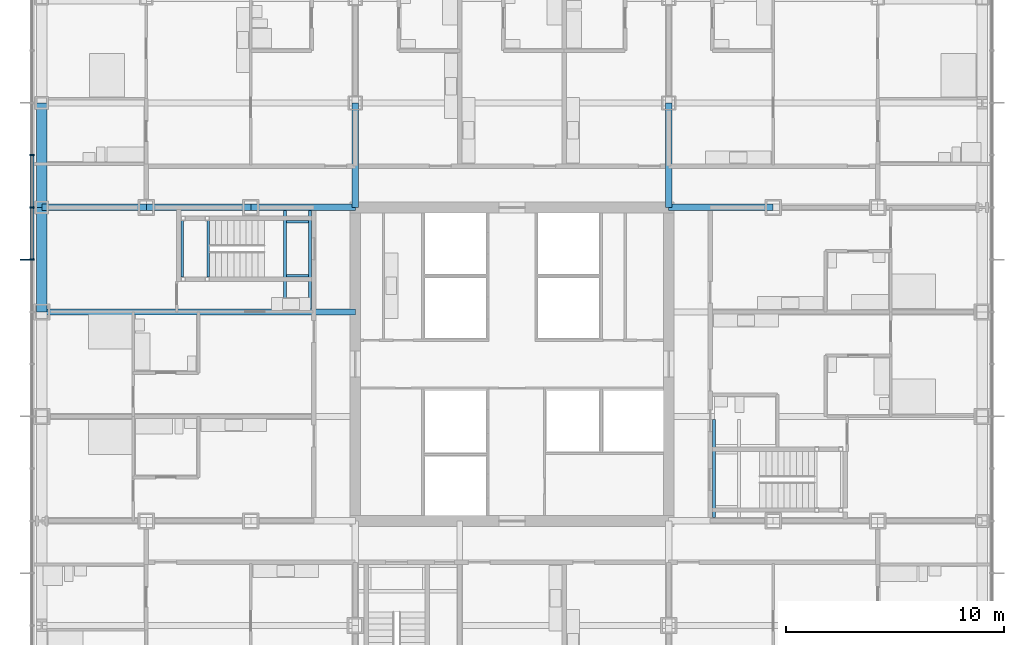
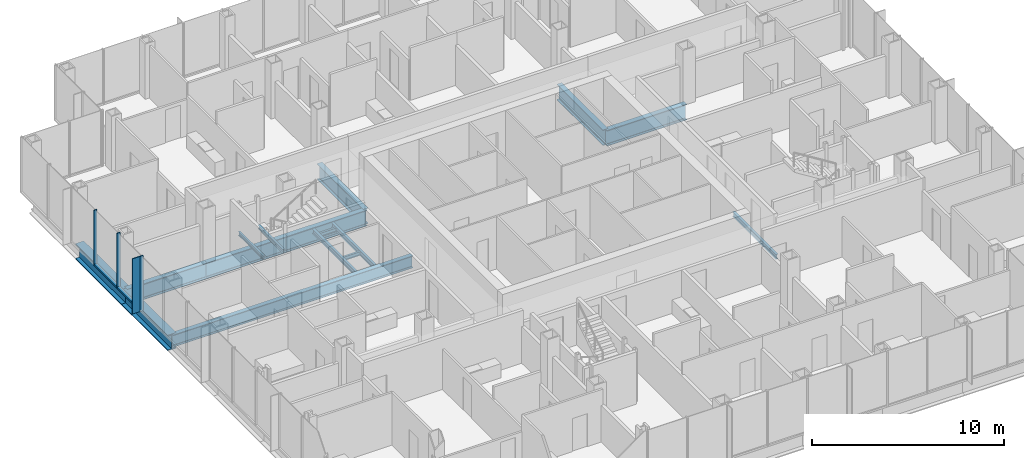
# One storey, part 8 of 21: 16 beams, 6 members, 1 element without a shape of its own.
"""IFC4 building model written with IfcOpenShell, lengths in metres."""

from ifc_helpers import new_model, si_unit, direction, frame, origin, origin_2d, place, context, subcontext, project, spatial, rectangle, i_section, extrude, material, material_profile, profile_set, type_object, element, aggregate, save


model = new_model("IFC4")

# Units and contexts
model_context = context("Model", 3, precision=1e-05, world=origin(), true_north=direction((0.0, 1.0)))
body_context = subcontext(model_context, "Body", "Model", "MODEL_VIEW")
ifc_project = project(units=[si_unit("LENGTHUNIT", "METRE"), si_unit("AREAUNIT", "SQUARE_METRE"), si_unit("VOLUMEUNIT", "CUBIC_METRE"), si_unit("PLANEANGLEUNIT", "RADIAN"), si_unit("MASSUNIT", "GRAM", prefix="KILO")], contexts=[model_context])

# Site, building, storey
site_placement = place(None, origin())
site = spatial("IfcSite", under=ifc_project, at=site_placement, CompositionType="ELEMENT")
building_placement = place(site_placement, origin())
building = spatial("IfcBuilding", under=site, at=building_placement, Name="Kvirike Care Tower", CompositionType="ELEMENT")
storey_placement = place(building_placement, frame((0.0, 0.0, 51.5)))
storey = spatial("IfcBuildingStorey", under=building, at=storey_placement, Name="L13", CompositionType="ELEMENT", Elevation=51.5)

# Curtain wall, members
ifc_material_1 = material(Name="Anodised aluminium stick system", Category="aluminium")
curtain_wall_type = type_object("IfcCurtainWallType", Name="CW-A STICK CURTAIN WALL", PredefinedType="NOTDEFINED", material=ifc_material_1)
curtain_wall_placement = place(storey_placement, origin())
curtain_wall = element("IfcCurtainWall", 1, at=curtain_wall_placement, inside=storey, type_object=curtain_wall_type, Name="Curtain wall L13 face 1", PredefinedType="NOTDEFINED")
ifc_material_2 = material(Name="Bronze anodised aluminium fin", Category="aluminium")
ifc_material_profile_1 = material_profile(ifc_material_2, rectangle(XDim=0.050048828125, YDim=0.449951171875, at=origin_2d()), Name="BRONZE FIN 450")
ifc_profile_set_1 = profile_set([ifc_material_profile_1], Name="Bronze anodised aluminium fin")
member_type_1 = type_object("IfcMemberType", Name="BRONZE FIN 450", PredefinedType="USERDEFINED", material=ifc_profile_set_1)
member_1_placement = place(storey_placement, frame((-0.77490234375, 40.800048828125, 0.0), z_axis=(0.0, 0.0, 1.0), x_axis=(0.0, -1.0, 0.0)))
member_1 = element("IfcMember", 2, at=member_1_placement, type_object=member_type_1, Name="Bronze fin L13 face 1.6", ObjectType="FIN", PredefinedType="USERDEFINED", context=body_context, shape_type="SweptSolid", body=[
    extrude(rectangle(XDim=0.050048828125, YDim=0.449951171875, at=origin_2d()), origin(), (0.0, 0.0, 1.0), 3.5),
])
ifc_material_3 = material(Name="Bronze anodised aluminium mullion", Category="aluminium")
ifc_material_profile_2 = material_profile(ifc_material_3, rectangle(XDim=0.06494140625, YDim=0.199951171875, at=origin_2d()), Name="CW-A MULLION 65x200")
ifc_profile_set_2 = profile_set([ifc_material_profile_2], Name="Bronze anodised aluminium mullion")
member_type_2 = type_object("IfcMemberType", Name="CW-A MULLION 65x200", PredefinedType="MULLION", material=ifc_profile_set_2)
member_2_placement = place(storey_placement, frame((-0.449951171875, 45.60009765625, 0.0), z_axis=(0.0, 0.0, 1.0), x_axis=(0.0, -1.0, 0.0)))
member_2 = element("IfcMember", 3, at=member_2_placement, type_object=member_type_2, Name="CW-A mullion L13 face 1.4", PredefinedType="MULLION", context=body_context, shape_type="SweptSolid", body=[
    extrude(rectangle(XDim=0.06494140625, YDim=0.199951171875, at=origin_2d()), origin(), (0.0, 0.0, 1.0), 3.5),
])
member_3_placement = place(storey_placement, frame((-0.449951171875, 43.199951171875, 0.0), z_axis=(0.0, 0.0, 1.0), x_axis=(0.0, -1.0, 0.0)))
member_3 = element("IfcMember", 4, at=member_3_placement, type_object=member_type_2, Name="CW-A mullion L13 face 1.5", PredefinedType="MULLION", context=body_context, shape_type="SweptSolid", body=[
    extrude(rectangle(XDim=0.06494140625, YDim=0.199951171875, at=origin_2d()), origin(), (0.0, 0.0, 1.0), 3.5),
])
member_4_placement = place(storey_placement, frame((-0.449951171875, 40.800048828125, 0.0), z_axis=(0.0, 0.0, 1.0), x_axis=(0.0, -1.0, 0.0)))
member_4 = element("IfcMember", 5, at=member_4_placement, type_object=member_type_2, Name="CW-A mullion L13 face 1.6", PredefinedType="MULLION", context=body_context, shape_type="SweptSolid", body=[
    extrude(rectangle(XDim=0.06494140625, YDim=0.199951171875, at=origin_2d()), origin(), (0.0, 0.0, 1.0), 3.5),
])
ifc_material_4 = material(Name="Bronze anodised aluminium transom", Category="aluminium")
ifc_material_profile_3 = material_profile(ifc_material_4, rectangle(XDim=0.199951171875, YDim=0.10009765625, at=origin_2d()), Name="CW-A TRANSOM 200x100")
ifc_profile_set_3 = profile_set([ifc_material_profile_3], Name="Bronze anodised aluminium transom")
member_type_3 = type_object("IfcMemberType", Name="CW-A TRANSOM 200x100", PredefinedType="USERDEFINED", material=ifc_profile_set_3)
member_5_placement = place(storey_placement, frame((-0.449951171875, 45.5673828125, 0.050048828125), z_axis=(0.0, -1.0, 0.0), x_axis=(1.0, 0.0, 0.0)))
member_5 = element("IfcMember", 6, at=member_5_placement, type_object=member_type_3, Name="CW-A sill transom L13 face 1.4", ObjectType="TRANSOM", PredefinedType="USERDEFINED", context=body_context, shape_type="SweptSolid", body=[
    extrude(rectangle(XDim=0.199951171875, YDim=0.10009765625, at=origin_2d()), origin(), (0.0, 0.0, 1.0), 2.3349609375),
])
member_6_placement = place(storey_placement, frame((-0.449951171875, 43.16748046875, 0.050048828125), z_axis=(0.0, -1.0, 0.0), x_axis=(1.0, 0.0, 0.0)))
member_6 = element("IfcMember", 7, at=member_6_placement, type_object=member_type_3, Name="CW-A sill transom L13 face 1.5", ObjectType="TRANSOM", PredefinedType="USERDEFINED", context=body_context, shape_type="SweptSolid", body=[
    extrude(rectangle(XDim=0.199951171875, YDim=0.10009765625, at=origin_2d()), origin(), (0.0, 0.0, 1.0), 2.3349609375),
])
aggregate(curtain_wall, [member_2, member_3, member_4, member_1, member_5, member_6])

# Beams
ifc_material_5 = material(Name="Steel S355", Category="steel")
ifc_material_profile_4 = material_profile(ifc_material_5, i_section(OverallWidth=0.26806640625, OverallDepth=0.77001953125, WebThickness=0.015625, FlangeThickness=0.025390625, FilletRadius=0.01708984375, at=origin_2d()), Name="IPE 750x196")
ifc_profile_set_4 = profile_set([ifc_material_profile_4], Name="Steel S355")
beam_type_1 = type_object("IfcBeamType", Name="FLOOR BEAM IPE 750x196", PredefinedType="BEAM", material=ifc_profile_set_4)
beam_1_placement = place(storey_placement, frame((0.0, 38.39990234375, -0.554931640625), z_axis=(1.0, 0.0, 0.0), x_axis=(0.0, 1.0, 0.0)))
element("IfcBeam", 8, at=beam_1_placement, inside=storey, type_object=beam_type_1, Name="Floor Beam J3-J6 L13", PredefinedType="BEAM", context=body_context, shape_type="SweptSolid", body=[
    extrude(i_section(OverallWidth=0.26806640625, OverallDepth=0.77001953125, WebThickness=0.015625, FlangeThickness=0.025390625, FilletRadius=0.01708984375, at=origin_2d()), origin(), (0.0, 0.0, 1.0), 14.39990234375),
])
ifc_material_6 = material(Name="Steel S355", Category="steel")
ifc_material_profile_5 = material_profile(ifc_material_6, i_section(OverallWidth=0.300048828125, OverallDepth=1.0, WebThickness=0.01904296875, FlangeThickness=0.035888671875, FilletRadius=0.030029296875, at=origin_2d()), Name="HE 1000 B")
ifc_profile_set_5 = profile_set([ifc_material_profile_5], Name="Steel S355")
beam_type_2 = type_object("IfcBeamType", Name="FRAME BEAM HE 1000 B", PredefinedType="BEAM", material=ifc_profile_set_5)
for number, where, z_axis, x_axis, name in (
    (9, (0.0, 43.199951171875, -0.669921875), (1.0, 0.0, 0.0), (0.0, 1.0, 0.0), "Frame Beam K3-K4 L13"),
    (10, (4.800048828125, 43.199951171875, -0.669921875), (1.0, 0.0, 0.0), (0.0, 1.0, 0.0), "Frame Beam K4-K5 L13"),
):
    element("IfcBeam", number, at=place(storey_placement, frame(where, z_axis=z_axis, x_axis=x_axis)), inside=storey, type_object=beam_type_2, Name=name, PredefinedType="BEAM", context=body_context, shape_type="SweptSolid", body=[
        extrude(i_section(OverallWidth=0.300048828125, OverallDepth=1.0, WebThickness=0.01904296875, FlangeThickness=0.035888671875, FilletRadius=0.030029296875, at=origin_2d()), origin(), (0.0, 0.0, 1.0), 4.800048828125),
    ])
beam_2_placement = place(storey_placement, frame((9.60009765625, 43.199951171875, -0.669921875), z_axis=(1.0, 0.0, 0.0), x_axis=(0.0, 1.0, 0.0)))
element("IfcBeam", 11, at=beam_2_placement, inside=storey, type_object=beam_type_2, Name="Frame Beam K5-K6 L13", PredefinedType="BEAM", context=body_context, shape_type="SweptSolid", body=[
    extrude(i_section(OverallWidth=0.300048828125, OverallDepth=1.0, WebThickness=0.01904296875, FlangeThickness=0.035888671875, FilletRadius=0.030029296875, at=origin_2d()), origin(), (0.0, 0.0, 1.0), 4.7998046875),
])
for number, where, z_axis, x_axis, name in (
    (12, (28.800048828125, 43.199951171875, -0.669921875), (1.0, 0.0, 0.0), (0.0, 1.0, 0.0), "Frame Beam K9-K10 L13"),
    (13, (14.39990234375, 43.199951171875, -0.669921875), (0.0, 1.0, 0.0), (-1.0, 0.0, 0.0), "Frame Beam K6-L6 L13"),
    (14, (28.800048828125, 43.199951171875, -0.669921875), (0.0, 1.0, 0.0), (-1.0, 0.0, 0.0), "Frame Beam K9-L9 L13"),
):
    element("IfcBeam", number, at=place(storey_placement, frame(where, z_axis=z_axis, x_axis=x_axis)), inside=storey, type_object=beam_type_2, Name=name, PredefinedType="BEAM", context=body_context, shape_type="SweptSolid", body=[
        extrude(i_section(OverallWidth=0.300048828125, OverallDepth=1.0, WebThickness=0.01904296875, FlangeThickness=0.035888671875, FilletRadius=0.030029296875, at=origin_2d()), origin(), (0.0, 0.0, 1.0), 4.800048828125),
    ])
ifc_material_7 = material(Name="Steel S355", Category="steel")
ifc_material_profile_6 = material_profile(ifc_material_7, i_section(OverallWidth=0.5, OverallDepth=1.0, WebThickness=0.030029296875, FlangeThickness=0.06005859375, at=origin_2d()), Name="PG 1000x500x30x60")
ifc_profile_set_6 = profile_set([ifc_material_profile_6], Name="Steel S355")
beam_type_3 = type_object("IfcBeamType", Name="SPANDREL PG 1000x500x30x60", PredefinedType="SPANDREL", material=ifc_profile_set_6)
for number, where, z_axis, x_axis, name in (
    (15, (0.0, 38.39990234375, -0.669921875), (0.0, 1.0, 0.0), (-1.0, 0.0, 0.0), "Spandrel J3-K3 L13"),
    (16, (0.0, 43.199951171875, -0.669921875), (0.0, 1.0, 0.0), (-1.0, 0.0, 0.0), "Spandrel K3-L3 L13"),
):
    element("IfcBeam", number, at=place(storey_placement, frame(where, z_axis=z_axis, x_axis=x_axis)), inside=storey, type_object=beam_type_3, Name=name, PredefinedType="SPANDREL", context=body_context, shape_type="SweptSolid", body=[
        extrude(i_section(OverallWidth=0.5, OverallDepth=1.0, WebThickness=0.030029296875, FlangeThickness=0.06005859375, at=origin_2d()), origin(), (0.0, 0.0, 1.0), 4.800048828125),
    ])
ifc_material_8 = material(Name="Steel S355", Category="steel")
ifc_material_profile_7 = material_profile(ifc_material_8, i_section(OverallWidth=0.1201171875, OverallDepth=0.239990234375, WebThickness=0.006103515625, FlangeThickness=0.009765625, FilletRadius=0.014892578125, at=origin_2d()), Name="IPE 240")
ifc_profile_set_7 = profile_set([ifc_material_profile_7], Name="Steel S355")
beam_type_4 = type_object("IfcBeamType", Name="STAIR LANDING BEAM IPE 240", PredefinedType="BEAM", material=ifc_profile_set_7)
for number, where, z_axis, x_axis, name in (
    (17, (6.4599609375, 42.60009765625, 1.429931640625), (0.0, -1.0, 0.0), (1.0, 0.0, 0.0), "Stair 1 landing beam back L13"),
    (18, (7.639892578125, 42.60009765625, 1.429931640625), (0.0, -1.0, 0.0), (1.0, 0.0, 0.0), "Stair 1 landing beam front L13"),
):
    element("IfcBeam", number, at=place(storey_placement, frame(where, z_axis=z_axis, x_axis=x_axis)), inside=storey, type_object=beam_type_4, Name=name, PredefinedType="BEAM", context=body_context, shape_type="SweptSolid", body=[
        extrude(i_section(OverallWidth=0.1201171875, OverallDepth=0.239990234375, WebThickness=0.006103515625, FlangeThickness=0.009765625, FilletRadius=0.014892578125, at=origin_2d()), origin(), (0.0, 0.0, 1.0), 2.60009765625),
    ])
for number, where, z_axis, x_axis, name in (
    (19, (11.25, 42.5400390625, -0.320068359375), (1.0, 0.0, 0.0), (0.0, 1.0, 0.0), "Stair 1 landing edge beam 1 L13"),
    (20, (11.25, 40.06005859375, -0.320068359375), (1.0, 0.0, 0.0), (0.0, 1.0, 0.0), "Stair 1 landing edge beam 2 L13"),
):
    element("IfcBeam", number, at=place(storey_placement, frame(where, z_axis=z_axis, x_axis=x_axis)), inside=storey, type_object=beam_type_4, Name=name, PredefinedType="BEAM", context=body_context, shape_type="SweptSolid", body=[
        extrude(i_section(OverallWidth=0.1201171875, OverallDepth=0.239990234375, WebThickness=0.006103515625, FlangeThickness=0.009765625, FilletRadius=0.014892578125, at=origin_2d()), origin(), (0.0, 0.0, 1.0), 1.0),
    ])
ifc_material_9 = material(Name="Steel S355", Category="steel")
ifc_material_profile_8 = material_profile(ifc_material_9, i_section(OverallWidth=0.14990234375, OverallDepth=0.300048828125, WebThickness=0.007080078125, FlangeThickness=0.0107421875, FilletRadius=0.014892578125, at=origin_2d()), Name="IPE 300")
ifc_profile_set_8 = profile_set([ifc_material_profile_8], Name="Steel S355")
beam_type_5 = type_object("IfcBeamType", Name="STAIR TRIMMER IPE 300", PredefinedType="BEAM", material=ifc_profile_set_8)
for number, where, z_axis, x_axis, name in (
    (21, (11.175048828125, 43.050048828125, -0.35009765625), (0.0, -1.0, 0.0), (1.0, 0.0, 0.0), "Stair 1 trimmer 1 L13"),
    (22, (12.324951171875, 43.050048828125, -0.35009765625), (0.0, -1.0, 0.0), (1.0, 0.0, 0.0), "Stair 1 trimmer 2 L13"),
    (23, (30.875, 28.949951171875, -0.35009765625), (0.0, 1.0, 0.0), (-1.0, 0.0, 0.0), "Stair 2 trimmer 2 L13"),
):
    element("IfcBeam", number, at=place(storey_placement, frame(where, z_axis=z_axis, x_axis=x_axis)), inside=storey, type_object=beam_type_5, Name=name, PredefinedType="BEAM", context=body_context, shape_type="SweptSolid", body=[
        extrude(i_section(OverallWidth=0.14990234375, OverallDepth=0.300048828125, WebThickness=0.007080078125, FlangeThickness=0.0107421875, FilletRadius=0.014892578125, at=origin_2d()), origin(), (0.0, 0.0, 1.0), 4.51611328125),
    ])

save(model, "model.ifc")
